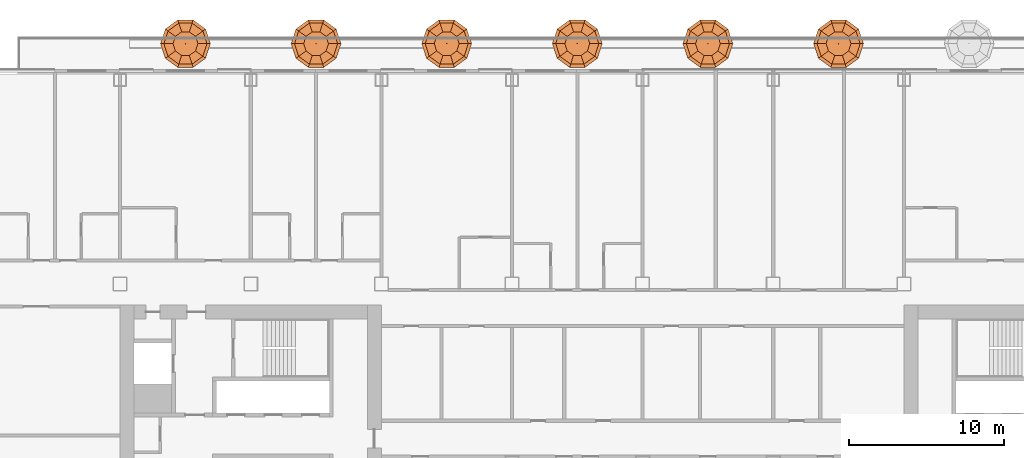
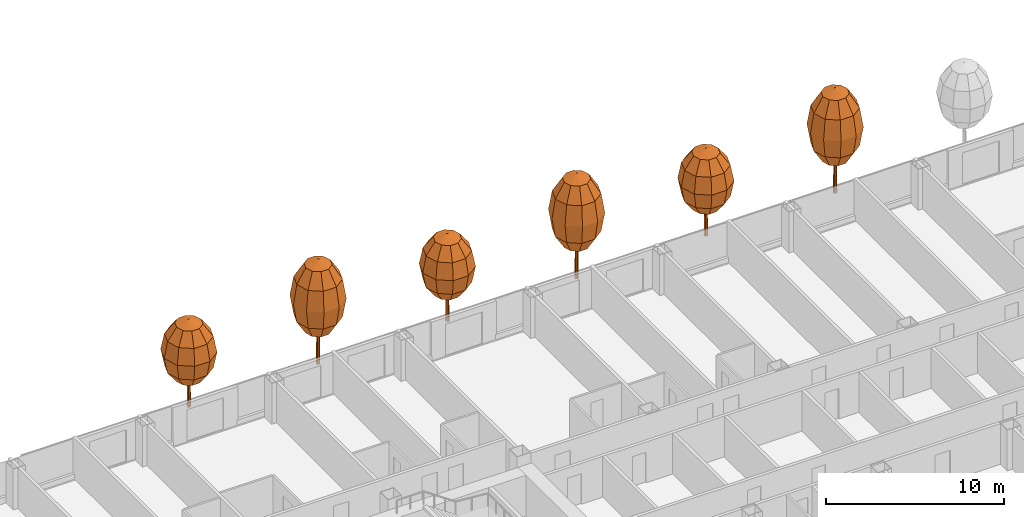
# One storey, part 32 of 33: 6 geographic elements.
"""IFC4 building model written with IfcOpenShell, lengths in metres."""

from ifc_helpers import new_model, si_unit, direction, frame, origin, place, context, subcontext, project, spatial, triangles, material, type_object, element, save


model = new_model("IFC4")

# Units and contexts
model_context = context("Model", 3, precision=1e-05, world=origin(), true_north=direction((0.0, 1.0)))
body_context = subcontext(model_context, "Body", "Model", "MODEL_VIEW")
ifc_project = project(units=[si_unit("LENGTHUNIT", "METRE"), si_unit("AREAUNIT", "SQUARE_METRE"), si_unit("VOLUMEUNIT", "CUBIC_METRE"), si_unit("PLANEANGLEUNIT", "RADIAN"), si_unit("MASSUNIT", "GRAM", prefix="KILO")], contexts=[model_context])

# Site, building, storey
site_placement = place(None, origin())
site = spatial("IfcSite", under=ifc_project, at=site_placement, CompositionType="ELEMENT")
building_placement = place(site_placement, origin())
building = spatial("IfcBuilding", under=site, at=building_placement, Name="Hakoniwa Tower and Hamabe Station Hall", CompositionType="ELEMENT")
storey_placement = place(building_placement, frame((0.0, 0.0, 81.800048828125)))
storey = spatial("IfcBuildingStorey", under=building, at=storey_placement, Name="L22", CompositionType="ELEMENT", Elevation=81.800048828125)

# Geographic elements
ifc_material_1 = material(Name="Tree foliage")
geographic_element_type_1 = type_object("IfcGeographicElementType", Name="Japanese maple 7.2 m", PredefinedType="USERDEFINED", material=ifc_material_1)
geographic_element_1_placement = place(storey_placement, frame((-21.0, 25.199951171875, 0.89990234375)))
element("IfcGeographicElement", 1, at=geographic_element_1_placement, inside=storey, type_object=geographic_element_type_1, Name="Japanese maple 7-2 m", ObjectType="TREE", PredefinedType="USERDEFINED", context=body_context, shape_type="Tessellation", body=[
    triangles([(0.125, 0.0, 0.0), (0.08837890625, 0.08837890625, 0.0), (0.0, 0.125, 0.0), (-0.08837890625, 0.08837890625, 0.0), (-0.125, 0.0, 0.0), (-0.08837890625, -0.08837890625, 0.0), (0.0, -0.125, 0.0), (0.08837890625, -0.08837890625, 0.0), (0.074951171875, 0.0, 4.348876953125), (0.052978515625, 0.052978515625, 4.348876953125), (0.0, 0.074951171875, 4.348876953125), (-0.052978515625, 0.052978515625, 4.348876953125), (-0.074951171875, 0.0, 4.348876953125), (-0.052978515625, -0.052978515625, 4.348876953125), (0.0, -0.074951171875, 4.348876953125), (0.052978515625, -0.052978515625, 4.348876953125), (0.0, 0.0, 0.0), (0.0, 0.0, 4.348876953125)], [[1, 2, 10], [1, 10, 9], [17, 2, 1], [18, 9, 10], [2, 3, 11], [2, 11, 10], [17, 3, 2], [18, 10, 11], [3, 4, 12], [3, 12, 11], [17, 4, 3], [18, 11, 12], [4, 5, 13], [4, 13, 12], [17, 5, 4], [18, 12, 13], [5, 6, 14], [5, 14, 13], [17, 6, 5], [18, 13, 14], [6, 7, 15], [6, 15, 14], [17, 7, 6], [18, 14, 15], [7, 8, 16], [7, 16, 15], [17, 8, 7], [18, 15, 16], [8, 1, 9], [8, 9, 16], [17, 1, 8], [18, 16, 9]], closed=True),
    triangles([(0.0, 0.0, 2.015869140625), (0.800048828125, 0.0, 2.36328125), (0.647216796875, 0.47021484375, 2.36328125), (0.247314453125, 0.7607421875, 2.36328125), (-0.247314453125, 0.7607421875, 2.36328125), (-0.647216796875, 0.47021484375, 2.36328125), (-0.800048828125, 0.0, 2.36328125), (-0.647216796875, -0.47021484375, 2.36328125), (-0.247314453125, -0.7607421875, 2.36328125), (0.247314453125, -0.7607421875, 2.36328125), (0.647216796875, -0.47021484375, 2.36328125), (1.385498046875, 0.0, 3.31201171875), (1.12109375, 0.814453125, 3.31201171875), (0.42822265625, 1.31787109375, 3.31201171875), (-0.42822265625, 1.31787109375, 3.31201171875), (-1.12109375, 0.814453125, 3.31201171875), (-1.385498046875, 0.0, 3.31201171875), (-1.12109375, -0.814453125, 3.31201171875), (-0.42822265625, -1.31787109375, 3.31201171875), (0.42822265625, -1.31787109375, 3.31201171875), (1.12109375, -0.814453125, 3.31201171875), (1.60009765625, 0.0, 4.60791015625), (1.29443359375, 0.9404296875, 4.60791015625), (0.494384765625, 1.521728515625, 4.60791015625), (-0.494384765625, 1.521728515625, 4.60791015625), (-1.29443359375, 0.9404296875, 4.60791015625), (-1.60009765625, 0.0, 4.60791015625), (-1.29443359375, -0.9404296875, 4.60791015625), (-0.494384765625, -1.521728515625, 4.60791015625), (0.494384765625, -1.521728515625, 4.60791015625), (1.29443359375, -0.9404296875, 4.60791015625), (1.385498046875, 0.0, 5.904052734375), (1.12109375, 0.814453125, 5.904052734375), (0.42822265625, 1.31787109375, 5.904052734375), (-0.42822265625, 1.31787109375, 5.904052734375), (-1.12109375, 0.814453125, 5.904052734375), (-1.385498046875, 0.0, 5.904052734375), (-1.12109375, -0.814453125, 5.904052734375), (-0.42822265625, -1.31787109375, 5.904052734375), (0.42822265625, -1.31787109375, 5.904052734375), (1.12109375, -0.814453125, 5.904052734375), (0.800048828125, 0.0, 6.852783203125), (0.647216796875, 0.47021484375, 6.852783203125), (0.247314453125, 0.7607421875, 6.852783203125), (-0.247314453125, 0.7607421875, 6.852783203125), (-0.647216796875, 0.47021484375, 6.852783203125), (-0.800048828125, 0.0, 6.852783203125), (-0.647216796875, -0.47021484375, 6.852783203125), (-0.247314453125, -0.7607421875, 6.852783203125), (0.247314453125, -0.7607421875, 6.852783203125), (0.647216796875, -0.47021484375, 6.852783203125), (0.0, 0.0, 7.199951171875)], [[1, 3, 2], [1, 4, 3], [1, 5, 4], [1, 6, 5], [1, 7, 6], [1, 8, 7], [1, 9, 8], [1, 10, 9], [1, 11, 10], [1, 2, 11], [2, 3, 13], [2, 13, 12], [3, 4, 14], [3, 14, 13], [4, 5, 15], [4, 15, 14], [5, 6, 16], [5, 16, 15], [6, 7, 17], [6, 17, 16], [7, 8, 18], [7, 18, 17], [8, 9, 19], [8, 19, 18], [9, 10, 20], [9, 20, 19], [10, 11, 21], [10, 21, 20], [11, 2, 12], [11, 12, 21], [12, 13, 23], [12, 23, 22], [13, 14, 24], [13, 24, 23], [14, 15, 25], [14, 25, 24], [15, 16, 26], [15, 26, 25], [16, 17, 27], [16, 27, 26], [17, 18, 28], [17, 28, 27], [18, 19, 29], [18, 29, 28], [19, 20, 30], [19, 30, 29], [20, 21, 31], [20, 31, 30], [21, 12, 22], [21, 22, 31], [22, 23, 33], [22, 33, 32], [23, 24, 34], [23, 34, 33], [24, 25, 35], [24, 35, 34], [25, 26, 36], [25, 36, 35], [26, 27, 37], [26, 37, 36], [27, 28, 38], [27, 38, 37], [28, 29, 39], [28, 39, 38], [29, 30, 40], [29, 40, 39], [30, 31, 41], [30, 41, 40], [31, 22, 32], [31, 32, 41], [32, 33, 43], [32, 43, 42], [33, 34, 44], [33, 44, 43], [34, 35, 45], [34, 45, 44], [35, 36, 46], [35, 46, 45], [36, 37, 47], [36, 47, 46], [37, 38, 48], [37, 48, 47], [38, 39, 49], [38, 49, 48], [39, 40, 50], [39, 50, 49], [40, 41, 51], [40, 51, 50], [41, 32, 42], [41, 42, 51], [52, 42, 43], [52, 43, 44], [52, 44, 45], [52, 45, 46], [52, 46, 47], [52, 47, 48], [52, 48, 49], [52, 49, 50], [52, 50, 51], [52, 51, 42]], closed=True),
])
geographic_element_2_placement = place(storey_placement, frame((-4.199951171875, 25.199951171875, 0.89990234375)))
element("IfcGeographicElement", 2, at=geographic_element_2_placement, inside=storey, type_object=geographic_element_type_1, Name="Japanese maple 7-2 m", ObjectType="TREE", PredefinedType="USERDEFINED", context=body_context, shape_type="Tessellation", body=[
    triangles([(0.125, 0.0, 0.0), (0.08837890625, 0.08837890625, 0.0), (0.0, 0.125, 0.0), (-0.08837890625, 0.08837890625, 0.0), (-0.125, 0.0, 0.0), (-0.08837890625, -0.08837890625, 0.0), (0.0, -0.125, 0.0), (0.08837890625, -0.08837890625, 0.0), (0.074951171875, 0.0, 4.348876953125), (0.052978515625, 0.052978515625, 4.348876953125), (0.0, 0.074951171875, 4.348876953125), (-0.052978515625, 0.052978515625, 4.348876953125), (-0.074951171875, 0.0, 4.348876953125), (-0.052978515625, -0.052978515625, 4.348876953125), (0.0, -0.074951171875, 4.348876953125), (0.052978515625, -0.052978515625, 4.348876953125), (0.0, 0.0, 0.0), (0.0, 0.0, 4.348876953125)], [[1, 2, 10], [1, 10, 9], [17, 2, 1], [18, 9, 10], [2, 3, 11], [2, 11, 10], [17, 3, 2], [18, 10, 11], [3, 4, 12], [3, 12, 11], [17, 4, 3], [18, 11, 12], [4, 5, 13], [4, 13, 12], [17, 5, 4], [18, 12, 13], [5, 6, 14], [5, 14, 13], [17, 6, 5], [18, 13, 14], [6, 7, 15], [6, 15, 14], [17, 7, 6], [18, 14, 15], [7, 8, 16], [7, 16, 15], [17, 8, 7], [18, 15, 16], [8, 1, 9], [8, 9, 16], [17, 1, 8], [18, 16, 9]], closed=True),
    triangles([(0.0, 0.0, 2.015869140625), (0.800048828125, 0.0, 2.36328125), (0.647216796875, 0.47021484375, 2.36328125), (0.247314453125, 0.7607421875, 2.36328125), (-0.247314453125, 0.7607421875, 2.36328125), (-0.647216796875, 0.47021484375, 2.36328125), (-0.800048828125, 0.0, 2.36328125), (-0.647216796875, -0.47021484375, 2.36328125), (-0.247314453125, -0.7607421875, 2.36328125), (0.247314453125, -0.7607421875, 2.36328125), (0.647216796875, -0.47021484375, 2.36328125), (1.385498046875, 0.0, 3.31201171875), (1.12109375, 0.814453125, 3.31201171875), (0.42822265625, 1.31787109375, 3.31201171875), (-0.42822265625, 1.31787109375, 3.31201171875), (-1.12109375, 0.814453125, 3.31201171875), (-1.385498046875, 0.0, 3.31201171875), (-1.12109375, -0.814453125, 3.31201171875), (-0.42822265625, -1.31787109375, 3.31201171875), (0.42822265625, -1.31787109375, 3.31201171875), (1.12109375, -0.814453125, 3.31201171875), (1.60009765625, 0.0, 4.60791015625), (1.29443359375, 0.9404296875, 4.60791015625), (0.494384765625, 1.521728515625, 4.60791015625), (-0.494384765625, 1.521728515625, 4.60791015625), (-1.29443359375, 0.9404296875, 4.60791015625), (-1.60009765625, 0.0, 4.60791015625), (-1.29443359375, -0.9404296875, 4.60791015625), (-0.494384765625, -1.521728515625, 4.60791015625), (0.494384765625, -1.521728515625, 4.60791015625), (1.29443359375, -0.9404296875, 4.60791015625), (1.385498046875, 0.0, 5.904052734375), (1.12109375, 0.814453125, 5.904052734375), (0.42822265625, 1.31787109375, 5.904052734375), (-0.42822265625, 1.31787109375, 5.904052734375), (-1.12109375, 0.814453125, 5.904052734375), (-1.385498046875, 0.0, 5.904052734375), (-1.12109375, -0.814453125, 5.904052734375), (-0.42822265625, -1.31787109375, 5.904052734375), (0.42822265625, -1.31787109375, 5.904052734375), (1.12109375, -0.814453125, 5.904052734375), (0.800048828125, 0.0, 6.852783203125), (0.647216796875, 0.47021484375, 6.852783203125), (0.247314453125, 0.7607421875, 6.852783203125), (-0.247314453125, 0.7607421875, 6.852783203125), (-0.647216796875, 0.47021484375, 6.852783203125), (-0.800048828125, 0.0, 6.852783203125), (-0.647216796875, -0.47021484375, 6.852783203125), (-0.247314453125, -0.7607421875, 6.852783203125), (0.247314453125, -0.7607421875, 6.852783203125), (0.647216796875, -0.47021484375, 6.852783203125), (0.0, 0.0, 7.199951171875)], [[1, 3, 2], [1, 4, 3], [1, 5, 4], [1, 6, 5], [1, 7, 6], [1, 8, 7], [1, 9, 8], [1, 10, 9], [1, 11, 10], [1, 2, 11], [2, 3, 13], [2, 13, 12], [3, 4, 14], [3, 14, 13], [4, 5, 15], [4, 15, 14], [5, 6, 16], [5, 16, 15], [6, 7, 17], [6, 17, 16], [7, 8, 18], [7, 18, 17], [8, 9, 19], [8, 19, 18], [9, 10, 20], [9, 20, 19], [10, 11, 21], [10, 21, 20], [11, 2, 12], [11, 12, 21], [12, 13, 23], [12, 23, 22], [13, 14, 24], [13, 24, 23], [14, 15, 25], [14, 25, 24], [15, 16, 26], [15, 26, 25], [16, 17, 27], [16, 27, 26], [17, 18, 28], [17, 28, 27], [18, 19, 29], [18, 29, 28], [19, 20, 30], [19, 30, 29], [20, 21, 31], [20, 31, 30], [21, 12, 22], [21, 22, 31], [22, 23, 33], [22, 33, 32], [23, 24, 34], [23, 34, 33], [24, 25, 35], [24, 35, 34], [25, 26, 36], [25, 36, 35], [26, 27, 37], [26, 37, 36], [27, 28, 38], [27, 38, 37], [28, 29, 39], [28, 39, 38], [29, 30, 40], [29, 40, 39], [30, 31, 41], [30, 41, 40], [31, 22, 32], [31, 32, 41], [32, 33, 43], [32, 43, 42], [33, 34, 44], [33, 44, 43], [34, 35, 45], [34, 45, 44], [35, 36, 46], [35, 46, 45], [36, 37, 47], [36, 47, 46], [37, 38, 48], [37, 48, 47], [38, 39, 49], [38, 49, 48], [39, 40, 50], [39, 50, 49], [40, 41, 51], [40, 51, 50], [41, 32, 42], [41, 42, 51], [52, 42, 43], [52, 43, 44], [52, 44, 45], [52, 45, 46], [52, 46, 47], [52, 47, 48], [52, 48, 49], [52, 49, 50], [52, 50, 51], [52, 51, 42]], closed=True),
])
geographic_element_3_placement = place(storey_placement, frame((12.60009765625, 25.199951171875, 0.89990234375)))
element("IfcGeographicElement", 3, at=geographic_element_3_placement, inside=storey, type_object=geographic_element_type_1, Name="Japanese maple 7-2 m", ObjectType="TREE", PredefinedType="USERDEFINED", context=body_context, shape_type="Tessellation", body=[
    triangles([(0.125, 0.0, 0.0), (0.08837890625, 0.08837890625, 0.0), (0.0, 0.125, 0.0), (-0.08837890625, 0.08837890625, 0.0), (-0.125, 0.0, 0.0), (-0.08837890625, -0.08837890625, 0.0), (0.0, -0.125, 0.0), (0.08837890625, -0.08837890625, 0.0), (0.074951171875, 0.0, 4.348876953125), (0.052978515625, 0.052978515625, 4.348876953125), (0.0, 0.074951171875, 4.348876953125), (-0.052978515625, 0.052978515625, 4.348876953125), (-0.074951171875, 0.0, 4.348876953125), (-0.052978515625, -0.052978515625, 4.348876953125), (0.0, -0.074951171875, 4.348876953125), (0.052978515625, -0.052978515625, 4.348876953125), (0.0, 0.0, 0.0), (0.0, 0.0, 4.348876953125)], [[1, 2, 10], [1, 10, 9], [17, 2, 1], [18, 9, 10], [2, 3, 11], [2, 11, 10], [17, 3, 2], [18, 10, 11], [3, 4, 12], [3, 12, 11], [17, 4, 3], [18, 11, 12], [4, 5, 13], [4, 13, 12], [17, 5, 4], [18, 12, 13], [5, 6, 14], [5, 14, 13], [17, 6, 5], [18, 13, 14], [6, 7, 15], [6, 15, 14], [17, 7, 6], [18, 14, 15], [7, 8, 16], [7, 16, 15], [17, 8, 7], [18, 15, 16], [8, 1, 9], [8, 9, 16], [17, 1, 8], [18, 16, 9]], closed=True),
    triangles([(0.0, 0.0, 2.015869140625), (0.800048828125, 0.0, 2.36328125), (0.647216796875, 0.47021484375, 2.36328125), (0.247314453125, 0.7607421875, 2.36328125), (-0.247314453125, 0.7607421875, 2.36328125), (-0.647216796875, 0.47021484375, 2.36328125), (-0.800048828125, 0.0, 2.36328125), (-0.647216796875, -0.47021484375, 2.36328125), (-0.247314453125, -0.7607421875, 2.36328125), (0.247314453125, -0.7607421875, 2.36328125), (0.647216796875, -0.47021484375, 2.36328125), (1.385498046875, 0.0, 3.31201171875), (1.12109375, 0.814453125, 3.31201171875), (0.42822265625, 1.31787109375, 3.31201171875), (-0.42822265625, 1.31787109375, 3.31201171875), (-1.12109375, 0.814453125, 3.31201171875), (-1.385498046875, 0.0, 3.31201171875), (-1.12109375, -0.814453125, 3.31201171875), (-0.42822265625, -1.31787109375, 3.31201171875), (0.42822265625, -1.31787109375, 3.31201171875), (1.12109375, -0.814453125, 3.31201171875), (1.60009765625, 0.0, 4.60791015625), (1.29443359375, 0.9404296875, 4.60791015625), (0.494384765625, 1.521728515625, 4.60791015625), (-0.494384765625, 1.521728515625, 4.60791015625), (-1.29443359375, 0.9404296875, 4.60791015625), (-1.60009765625, 0.0, 4.60791015625), (-1.29443359375, -0.9404296875, 4.60791015625), (-0.494384765625, -1.521728515625, 4.60791015625), (0.494384765625, -1.521728515625, 4.60791015625), (1.29443359375, -0.9404296875, 4.60791015625), (1.385498046875, 0.0, 5.904052734375), (1.12109375, 0.814453125, 5.904052734375), (0.42822265625, 1.31787109375, 5.904052734375), (-0.42822265625, 1.31787109375, 5.904052734375), (-1.12109375, 0.814453125, 5.904052734375), (-1.385498046875, 0.0, 5.904052734375), (-1.12109375, -0.814453125, 5.904052734375), (-0.42822265625, -1.31787109375, 5.904052734375), (0.42822265625, -1.31787109375, 5.904052734375), (1.12109375, -0.814453125, 5.904052734375), (0.800048828125, 0.0, 6.852783203125), (0.647216796875, 0.47021484375, 6.852783203125), (0.247314453125, 0.7607421875, 6.852783203125), (-0.247314453125, 0.7607421875, 6.852783203125), (-0.647216796875, 0.47021484375, 6.852783203125), (-0.800048828125, 0.0, 6.852783203125), (-0.647216796875, -0.47021484375, 6.852783203125), (-0.247314453125, -0.7607421875, 6.852783203125), (0.247314453125, -0.7607421875, 6.852783203125), (0.647216796875, -0.47021484375, 6.852783203125), (0.0, 0.0, 7.199951171875)], [[1, 3, 2], [1, 4, 3], [1, 5, 4], [1, 6, 5], [1, 7, 6], [1, 8, 7], [1, 9, 8], [1, 10, 9], [1, 11, 10], [1, 2, 11], [2, 3, 13], [2, 13, 12], [3, 4, 14], [3, 14, 13], [4, 5, 15], [4, 15, 14], [5, 6, 16], [5, 16, 15], [6, 7, 17], [6, 17, 16], [7, 8, 18], [7, 18, 17], [8, 9, 19], [8, 19, 18], [9, 10, 20], [9, 20, 19], [10, 11, 21], [10, 21, 20], [11, 2, 12], [11, 12, 21], [12, 13, 23], [12, 23, 22], [13, 14, 24], [13, 24, 23], [14, 15, 25], [14, 25, 24], [15, 16, 26], [15, 26, 25], [16, 17, 27], [16, 27, 26], [17, 18, 28], [17, 28, 27], [18, 19, 29], [18, 29, 28], [19, 20, 30], [19, 30, 29], [20, 21, 31], [20, 31, 30], [21, 12, 22], [21, 22, 31], [22, 23, 33], [22, 33, 32], [23, 24, 34], [23, 34, 33], [24, 25, 35], [24, 35, 34], [25, 26, 36], [25, 36, 35], [26, 27, 37], [26, 37, 36], [27, 28, 38], [27, 38, 37], [28, 29, 39], [28, 39, 38], [29, 30, 40], [29, 40, 39], [30, 31, 41], [30, 41, 40], [31, 22, 32], [31, 32, 41], [32, 33, 43], [32, 43, 42], [33, 34, 44], [33, 44, 43], [34, 35, 45], [34, 45, 44], [35, 36, 46], [35, 46, 45], [36, 37, 47], [36, 47, 46], [37, 38, 48], [37, 48, 47], [38, 39, 49], [38, 49, 48], [39, 40, 50], [39, 50, 49], [40, 41, 51], [40, 51, 50], [41, 32, 42], [41, 42, 51], [52, 42, 43], [52, 43, 44], [52, 44, 45], [52, 45, 46], [52, 46, 47], [52, 47, 48], [52, 48, 49], [52, 49, 50], [52, 50, 51], [52, 51, 42]], closed=True),
])
ifc_material_2 = material(Name="Tree foliage")
geographic_element_type_2 = type_object("IfcGeographicElementType", Name="Osmanthus 6.0 m", PredefinedType="USERDEFINED", material=ifc_material_2)
geographic_element_4_placement = place(storey_placement, frame((-29.39990234375, 25.199951171875, 0.89990234375)))
element("IfcGeographicElement", 4, at=geographic_element_4_placement, inside=storey, type_object=geographic_element_type_2, Name="Osmanthus 6-0 m", ObjectType="TREE", PredefinedType="USERDEFINED", context=body_context, shape_type="Tessellation", body=[
    triangles([(0.125, 0.0, 0.0), (0.08837890625, 0.08837890625, 0.0), (0.0, 0.125, 0.0), (-0.08837890625, 0.08837890625, 0.0), (-0.125, 0.0, 0.0), (-0.08837890625, -0.08837890625, 0.0), (0.0, -0.125, 0.0), (0.08837890625, -0.08837890625, 0.0), (0.074951171875, 0.0, 3.6240234375), (0.052978515625, 0.052978515625, 3.6240234375), (0.0, 0.074951171875, 3.6240234375), (-0.052978515625, 0.052978515625, 3.6240234375), (-0.074951171875, 0.0, 3.6240234375), (-0.052978515625, -0.052978515625, 3.6240234375), (0.0, -0.074951171875, 3.6240234375), (0.052978515625, -0.052978515625, 3.6240234375), (0.0, 0.0, 0.0), (0.0, 0.0, 3.6240234375)], [[1, 2, 10], [1, 10, 9], [17, 2, 1], [18, 9, 10], [2, 3, 11], [2, 11, 10], [17, 3, 2], [18, 10, 11], [3, 4, 12], [3, 12, 11], [17, 4, 3], [18, 11, 12], [4, 5, 13], [4, 13, 12], [17, 5, 4], [18, 12, 13], [5, 6, 14], [5, 14, 13], [17, 6, 5], [18, 13, 14], [6, 7, 15], [6, 15, 14], [17, 7, 6], [18, 14, 15], [7, 8, 16], [7, 16, 15], [17, 8, 7], [18, 15, 16], [8, 1, 9], [8, 9, 16], [17, 1, 8], [18, 16, 9]], closed=True),
    triangles([(0.0, 0.0, 1.679931640625), (0.800048828125, 0.0, 1.969482421875), (0.647216796875, 0.47021484375, 1.969482421875), (0.247314453125, 0.7607421875, 1.969482421875), (-0.247314453125, 0.7607421875, 1.969482421875), (-0.647216796875, 0.47021484375, 1.969482421875), (-0.800048828125, 0.0, 1.969482421875), (-0.647216796875, -0.47021484375, 1.969482421875), (-0.247314453125, -0.7607421875, 1.969482421875), (0.247314453125, -0.7607421875, 1.969482421875), (0.647216796875, -0.47021484375, 1.969482421875), (1.385498046875, 0.0, 2.760009765625), (1.12109375, 0.814453125, 2.760009765625), (0.42822265625, 1.31787109375, 2.760009765625), (-0.42822265625, 1.31787109375, 2.760009765625), (-1.12109375, 0.814453125, 2.760009765625), (-1.385498046875, 0.0, 2.760009765625), (-1.12109375, -0.814453125, 2.760009765625), (-0.42822265625, -1.31787109375, 2.760009765625), (0.42822265625, -1.31787109375, 2.760009765625), (1.12109375, -0.814453125, 2.760009765625), (1.60009765625, 0.0, 3.840087890625), (1.29443359375, 0.9404296875, 3.840087890625), (0.494384765625, 1.521728515625, 3.840087890625), (-0.494384765625, 1.521728515625, 3.840087890625), (-1.29443359375, 0.9404296875, 3.840087890625), (-1.60009765625, 0.0, 3.840087890625), (-1.29443359375, -0.9404296875, 3.840087890625), (-0.494384765625, -1.521728515625, 3.840087890625), (0.494384765625, -1.521728515625, 3.840087890625), (1.29443359375, -0.9404296875, 3.840087890625), (1.385498046875, 0.0, 4.919921875), (1.12109375, 0.814453125, 4.919921875), (0.42822265625, 1.31787109375, 4.919921875), (-0.42822265625, 1.31787109375, 4.919921875), (-1.12109375, 0.814453125, 4.919921875), (-1.385498046875, 0.0, 4.919921875), (-1.12109375, -0.814453125, 4.919921875), (-0.42822265625, -1.31787109375, 4.919921875), (0.42822265625, -1.31787109375, 4.919921875), (1.12109375, -0.814453125, 4.919921875), (0.800048828125, 0.0, 5.710693359375), (0.647216796875, 0.47021484375, 5.710693359375), (0.247314453125, 0.7607421875, 5.710693359375), (-0.247314453125, 0.7607421875, 5.710693359375), (-0.647216796875, 0.47021484375, 5.710693359375), (-0.800048828125, 0.0, 5.710693359375), (-0.647216796875, -0.47021484375, 5.710693359375), (-0.247314453125, -0.7607421875, 5.710693359375), (0.247314453125, -0.7607421875, 5.710693359375), (0.647216796875, -0.47021484375, 5.710693359375), (0.0, 0.0, 6.0)], [[1, 3, 2], [1, 4, 3], [1, 5, 4], [1, 6, 5], [1, 7, 6], [1, 8, 7], [1, 9, 8], [1, 10, 9], [1, 11, 10], [1, 2, 11], [2, 3, 13], [2, 13, 12], [3, 4, 14], [3, 14, 13], [4, 5, 15], [4, 15, 14], [5, 6, 16], [5, 16, 15], [6, 7, 17], [6, 17, 16], [7, 8, 18], [7, 18, 17], [8, 9, 19], [8, 19, 18], [9, 10, 20], [9, 20, 19], [10, 11, 21], [10, 21, 20], [11, 2, 12], [11, 12, 21], [12, 13, 23], [12, 23, 22], [13, 14, 24], [13, 24, 23], [14, 15, 25], [14, 25, 24], [15, 16, 26], [15, 26, 25], [16, 17, 27], [16, 27, 26], [17, 18, 28], [17, 28, 27], [18, 19, 29], [18, 29, 28], [19, 20, 30], [19, 30, 29], [20, 21, 31], [20, 31, 30], [21, 12, 22], [21, 22, 31], [22, 23, 33], [22, 33, 32], [23, 24, 34], [23, 34, 33], [24, 25, 35], [24, 35, 34], [25, 26, 36], [25, 36, 35], [26, 27, 37], [26, 37, 36], [27, 28, 38], [27, 38, 37], [28, 29, 39], [28, 39, 38], [29, 30, 40], [29, 40, 39], [30, 31, 41], [30, 41, 40], [31, 22, 32], [31, 32, 41], [32, 33, 43], [32, 43, 42], [33, 34, 44], [33, 44, 43], [34, 35, 45], [34, 45, 44], [35, 36, 46], [35, 46, 45], [36, 37, 47], [36, 47, 46], [37, 38, 48], [37, 48, 47], [38, 39, 49], [38, 49, 48], [39, 40, 50], [39, 50, 49], [40, 41, 51], [40, 51, 50], [41, 32, 42], [41, 42, 51], [52, 42, 43], [52, 43, 44], [52, 44, 45], [52, 45, 46], [52, 46, 47], [52, 47, 48], [52, 48, 49], [52, 49, 50], [52, 50, 51], [52, 51, 42]], closed=True),
])
geographic_element_5_placement = place(storey_placement, frame((-12.60009765625, 25.199951171875, 0.89990234375)))
element("IfcGeographicElement", 5, at=geographic_element_5_placement, inside=storey, type_object=geographic_element_type_2, Name="Osmanthus 6-0 m", ObjectType="TREE", PredefinedType="USERDEFINED", context=body_context, shape_type="Tessellation", body=[
    triangles([(0.125, 0.0, 0.0), (0.08837890625, 0.08837890625, 0.0), (0.0, 0.125, 0.0), (-0.08837890625, 0.08837890625, 0.0), (-0.125, 0.0, 0.0), (-0.08837890625, -0.08837890625, 0.0), (0.0, -0.125, 0.0), (0.08837890625, -0.08837890625, 0.0), (0.074951171875, 0.0, 3.6240234375), (0.052978515625, 0.052978515625, 3.6240234375), (0.0, 0.074951171875, 3.6240234375), (-0.052978515625, 0.052978515625, 3.6240234375), (-0.074951171875, 0.0, 3.6240234375), (-0.052978515625, -0.052978515625, 3.6240234375), (0.0, -0.074951171875, 3.6240234375), (0.052978515625, -0.052978515625, 3.6240234375), (0.0, 0.0, 0.0), (0.0, 0.0, 3.6240234375)], [[1, 2, 10], [1, 10, 9], [17, 2, 1], [18, 9, 10], [2, 3, 11], [2, 11, 10], [17, 3, 2], [18, 10, 11], [3, 4, 12], [3, 12, 11], [17, 4, 3], [18, 11, 12], [4, 5, 13], [4, 13, 12], [17, 5, 4], [18, 12, 13], [5, 6, 14], [5, 14, 13], [17, 6, 5], [18, 13, 14], [6, 7, 15], [6, 15, 14], [17, 7, 6], [18, 14, 15], [7, 8, 16], [7, 16, 15], [17, 8, 7], [18, 15, 16], [8, 1, 9], [8, 9, 16], [17, 1, 8], [18, 16, 9]], closed=True),
    triangles([(0.0, 0.0, 1.679931640625), (0.800048828125, 0.0, 1.969482421875), (0.647216796875, 0.47021484375, 1.969482421875), (0.247314453125, 0.7607421875, 1.969482421875), (-0.247314453125, 0.7607421875, 1.969482421875), (-0.647216796875, 0.47021484375, 1.969482421875), (-0.800048828125, 0.0, 1.969482421875), (-0.647216796875, -0.47021484375, 1.969482421875), (-0.247314453125, -0.7607421875, 1.969482421875), (0.247314453125, -0.7607421875, 1.969482421875), (0.647216796875, -0.47021484375, 1.969482421875), (1.385498046875, 0.0, 2.760009765625), (1.12109375, 0.814453125, 2.760009765625), (0.42822265625, 1.31787109375, 2.760009765625), (-0.42822265625, 1.31787109375, 2.760009765625), (-1.12109375, 0.814453125, 2.760009765625), (-1.385498046875, 0.0, 2.760009765625), (-1.12109375, -0.814453125, 2.760009765625), (-0.42822265625, -1.31787109375, 2.760009765625), (0.42822265625, -1.31787109375, 2.760009765625), (1.12109375, -0.814453125, 2.760009765625), (1.60009765625, 0.0, 3.840087890625), (1.29443359375, 0.9404296875, 3.840087890625), (0.494384765625, 1.521728515625, 3.840087890625), (-0.494384765625, 1.521728515625, 3.840087890625), (-1.29443359375, 0.9404296875, 3.840087890625), (-1.60009765625, 0.0, 3.840087890625), (-1.29443359375, -0.9404296875, 3.840087890625), (-0.494384765625, -1.521728515625, 3.840087890625), (0.494384765625, -1.521728515625, 3.840087890625), (1.29443359375, -0.9404296875, 3.840087890625), (1.385498046875, 0.0, 4.919921875), (1.12109375, 0.814453125, 4.919921875), (0.42822265625, 1.31787109375, 4.919921875), (-0.42822265625, 1.31787109375, 4.919921875), (-1.12109375, 0.814453125, 4.919921875), (-1.385498046875, 0.0, 4.919921875), (-1.12109375, -0.814453125, 4.919921875), (-0.42822265625, -1.31787109375, 4.919921875), (0.42822265625, -1.31787109375, 4.919921875), (1.12109375, -0.814453125, 4.919921875), (0.800048828125, 0.0, 5.710693359375), (0.647216796875, 0.47021484375, 5.710693359375), (0.247314453125, 0.7607421875, 5.710693359375), (-0.247314453125, 0.7607421875, 5.710693359375), (-0.647216796875, 0.47021484375, 5.710693359375), (-0.800048828125, 0.0, 5.710693359375), (-0.647216796875, -0.47021484375, 5.710693359375), (-0.247314453125, -0.7607421875, 5.710693359375), (0.247314453125, -0.7607421875, 5.710693359375), (0.647216796875, -0.47021484375, 5.710693359375), (0.0, 0.0, 6.0)], [[1, 3, 2], [1, 4, 3], [1, 5, 4], [1, 6, 5], [1, 7, 6], [1, 8, 7], [1, 9, 8], [1, 10, 9], [1, 11, 10], [1, 2, 11], [2, 3, 13], [2, 13, 12], [3, 4, 14], [3, 14, 13], [4, 5, 15], [4, 15, 14], [5, 6, 16], [5, 16, 15], [6, 7, 17], [6, 17, 16], [7, 8, 18], [7, 18, 17], [8, 9, 19], [8, 19, 18], [9, 10, 20], [9, 20, 19], [10, 11, 21], [10, 21, 20], [11, 2, 12], [11, 12, 21], [12, 13, 23], [12, 23, 22], [13, 14, 24], [13, 24, 23], [14, 15, 25], [14, 25, 24], [15, 16, 26], [15, 26, 25], [16, 17, 27], [16, 27, 26], [17, 18, 28], [17, 28, 27], [18, 19, 29], [18, 29, 28], [19, 20, 30], [19, 30, 29], [20, 21, 31], [20, 31, 30], [21, 12, 22], [21, 22, 31], [22, 23, 33], [22, 33, 32], [23, 24, 34], [23, 34, 33], [24, 25, 35], [24, 35, 34], [25, 26, 36], [25, 36, 35], [26, 27, 37], [26, 37, 36], [27, 28, 38], [27, 38, 37], [28, 29, 39], [28, 39, 38], [29, 30, 40], [29, 40, 39], [30, 31, 41], [30, 41, 40], [31, 22, 32], [31, 32, 41], [32, 33, 43], [32, 43, 42], [33, 34, 44], [33, 44, 43], [34, 35, 45], [34, 45, 44], [35, 36, 46], [35, 46, 45], [36, 37, 47], [36, 47, 46], [37, 38, 48], [37, 48, 47], [38, 39, 49], [38, 49, 48], [39, 40, 50], [39, 50, 49], [40, 41, 51], [40, 51, 50], [41, 32, 42], [41, 42, 51], [52, 42, 43], [52, 43, 44], [52, 44, 45], [52, 45, 46], [52, 46, 47], [52, 47, 48], [52, 48, 49], [52, 49, 50], [52, 50, 51], [52, 51, 42]], closed=True),
])
geographic_element_6_placement = place(storey_placement, frame((4.199951171875, 25.199951171875, 0.89990234375)))
element("IfcGeographicElement", 6, at=geographic_element_6_placement, inside=storey, type_object=geographic_element_type_2, Name="Osmanthus 6-0 m", ObjectType="TREE", PredefinedType="USERDEFINED", context=body_context, shape_type="Tessellation", body=[
    triangles([(0.125, 0.0, 0.0), (0.08837890625, 0.08837890625, 0.0), (0.0, 0.125, 0.0), (-0.08837890625, 0.08837890625, 0.0), (-0.125, 0.0, 0.0), (-0.08837890625, -0.08837890625, 0.0), (0.0, -0.125, 0.0), (0.08837890625, -0.08837890625, 0.0), (0.074951171875, 0.0, 3.6240234375), (0.052978515625, 0.052978515625, 3.6240234375), (0.0, 0.074951171875, 3.6240234375), (-0.052978515625, 0.052978515625, 3.6240234375), (-0.074951171875, 0.0, 3.6240234375), (-0.052978515625, -0.052978515625, 3.6240234375), (0.0, -0.074951171875, 3.6240234375), (0.052978515625, -0.052978515625, 3.6240234375), (0.0, 0.0, 0.0), (0.0, 0.0, 3.6240234375)], [[1, 2, 10], [1, 10, 9], [17, 2, 1], [18, 9, 10], [2, 3, 11], [2, 11, 10], [17, 3, 2], [18, 10, 11], [3, 4, 12], [3, 12, 11], [17, 4, 3], [18, 11, 12], [4, 5, 13], [4, 13, 12], [17, 5, 4], [18, 12, 13], [5, 6, 14], [5, 14, 13], [17, 6, 5], [18, 13, 14], [6, 7, 15], [6, 15, 14], [17, 7, 6], [18, 14, 15], [7, 8, 16], [7, 16, 15], [17, 8, 7], [18, 15, 16], [8, 1, 9], [8, 9, 16], [17, 1, 8], [18, 16, 9]], closed=True),
    triangles([(0.0, 0.0, 1.679931640625), (0.800048828125, 0.0, 1.969482421875), (0.647216796875, 0.47021484375, 1.969482421875), (0.247314453125, 0.7607421875, 1.969482421875), (-0.247314453125, 0.7607421875, 1.969482421875), (-0.647216796875, 0.47021484375, 1.969482421875), (-0.800048828125, 0.0, 1.969482421875), (-0.647216796875, -0.47021484375, 1.969482421875), (-0.247314453125, -0.7607421875, 1.969482421875), (0.247314453125, -0.7607421875, 1.969482421875), (0.647216796875, -0.47021484375, 1.969482421875), (1.385498046875, 0.0, 2.760009765625), (1.12109375, 0.814453125, 2.760009765625), (0.42822265625, 1.31787109375, 2.760009765625), (-0.42822265625, 1.31787109375, 2.760009765625), (-1.12109375, 0.814453125, 2.760009765625), (-1.385498046875, 0.0, 2.760009765625), (-1.12109375, -0.814453125, 2.760009765625), (-0.42822265625, -1.31787109375, 2.760009765625), (0.42822265625, -1.31787109375, 2.760009765625), (1.12109375, -0.814453125, 2.760009765625), (1.60009765625, 0.0, 3.840087890625), (1.29443359375, 0.9404296875, 3.840087890625), (0.494384765625, 1.521728515625, 3.840087890625), (-0.494384765625, 1.521728515625, 3.840087890625), (-1.29443359375, 0.9404296875, 3.840087890625), (-1.60009765625, 0.0, 3.840087890625), (-1.29443359375, -0.9404296875, 3.840087890625), (-0.494384765625, -1.521728515625, 3.840087890625), (0.494384765625, -1.521728515625, 3.840087890625), (1.29443359375, -0.9404296875, 3.840087890625), (1.385498046875, 0.0, 4.919921875), (1.12109375, 0.814453125, 4.919921875), (0.42822265625, 1.31787109375, 4.919921875), (-0.42822265625, 1.31787109375, 4.919921875), (-1.12109375, 0.814453125, 4.919921875), (-1.385498046875, 0.0, 4.919921875), (-1.12109375, -0.814453125, 4.919921875), (-0.42822265625, -1.31787109375, 4.919921875), (0.42822265625, -1.31787109375, 4.919921875), (1.12109375, -0.814453125, 4.919921875), (0.800048828125, 0.0, 5.710693359375), (0.647216796875, 0.47021484375, 5.710693359375), (0.247314453125, 0.7607421875, 5.710693359375), (-0.247314453125, 0.7607421875, 5.710693359375), (-0.647216796875, 0.47021484375, 5.710693359375), (-0.800048828125, 0.0, 5.710693359375), (-0.647216796875, -0.47021484375, 5.710693359375), (-0.247314453125, -0.7607421875, 5.710693359375), (0.247314453125, -0.7607421875, 5.710693359375), (0.647216796875, -0.47021484375, 5.710693359375), (0.0, 0.0, 6.0)], [[1, 3, 2], [1, 4, 3], [1, 5, 4], [1, 6, 5], [1, 7, 6], [1, 8, 7], [1, 9, 8], [1, 10, 9], [1, 11, 10], [1, 2, 11], [2, 3, 13], [2, 13, 12], [3, 4, 14], [3, 14, 13], [4, 5, 15], [4, 15, 14], [5, 6, 16], [5, 16, 15], [6, 7, 17], [6, 17, 16], [7, 8, 18], [7, 18, 17], [8, 9, 19], [8, 19, 18], [9, 10, 20], [9, 20, 19], [10, 11, 21], [10, 21, 20], [11, 2, 12], [11, 12, 21], [12, 13, 23], [12, 23, 22], [13, 14, 24], [13, 24, 23], [14, 15, 25], [14, 25, 24], [15, 16, 26], [15, 26, 25], [16, 17, 27], [16, 27, 26], [17, 18, 28], [17, 28, 27], [18, 19, 29], [18, 29, 28], [19, 20, 30], [19, 30, 29], [20, 21, 31], [20, 31, 30], [21, 12, 22], [21, 22, 31], [22, 23, 33], [22, 33, 32], [23, 24, 34], [23, 34, 33], [24, 25, 35], [24, 35, 34], [25, 26, 36], [25, 36, 35], [26, 27, 37], [26, 37, 36], [27, 28, 38], [27, 38, 37], [28, 29, 39], [28, 39, 38], [29, 30, 40], [29, 40, 39], [30, 31, 41], [30, 41, 40], [31, 22, 32], [31, 32, 41], [32, 33, 43], [32, 43, 42], [33, 34, 44], [33, 44, 43], [34, 35, 45], [34, 45, 44], [35, 36, 46], [35, 46, 45], [36, 37, 47], [36, 47, 46], [37, 38, 48], [37, 48, 47], [38, 39, 49], [38, 49, 48], [39, 40, 50], [39, 50, 49], [40, 41, 51], [40, 51, 50], [41, 32, 42], [41, 42, 51], [52, 42, 43], [52, 43, 44], [52, 44, 45], [52, 45, 46], [52, 46, 47], [52, 47, 48], [52, 48, 49], [52, 49, 50], [52, 50, 51], [52, 51, 42]], closed=True),
])

save(model, "model.ifc")
